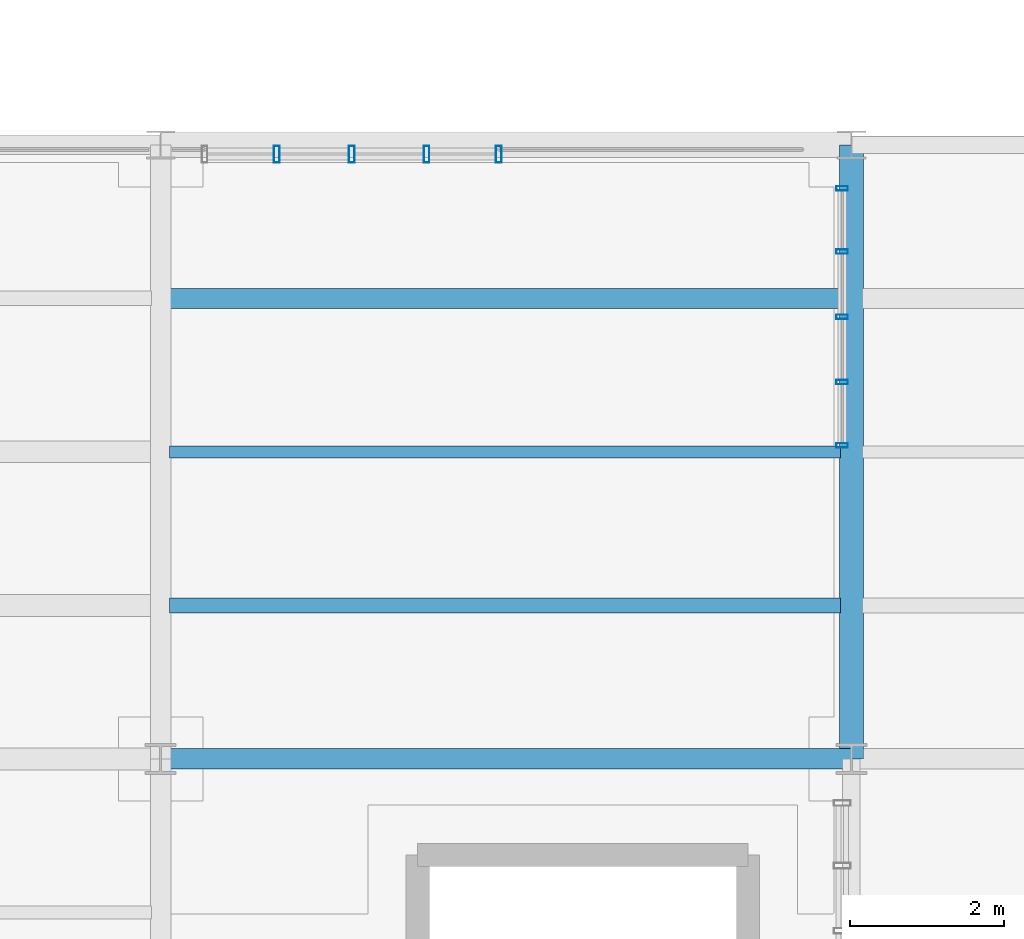
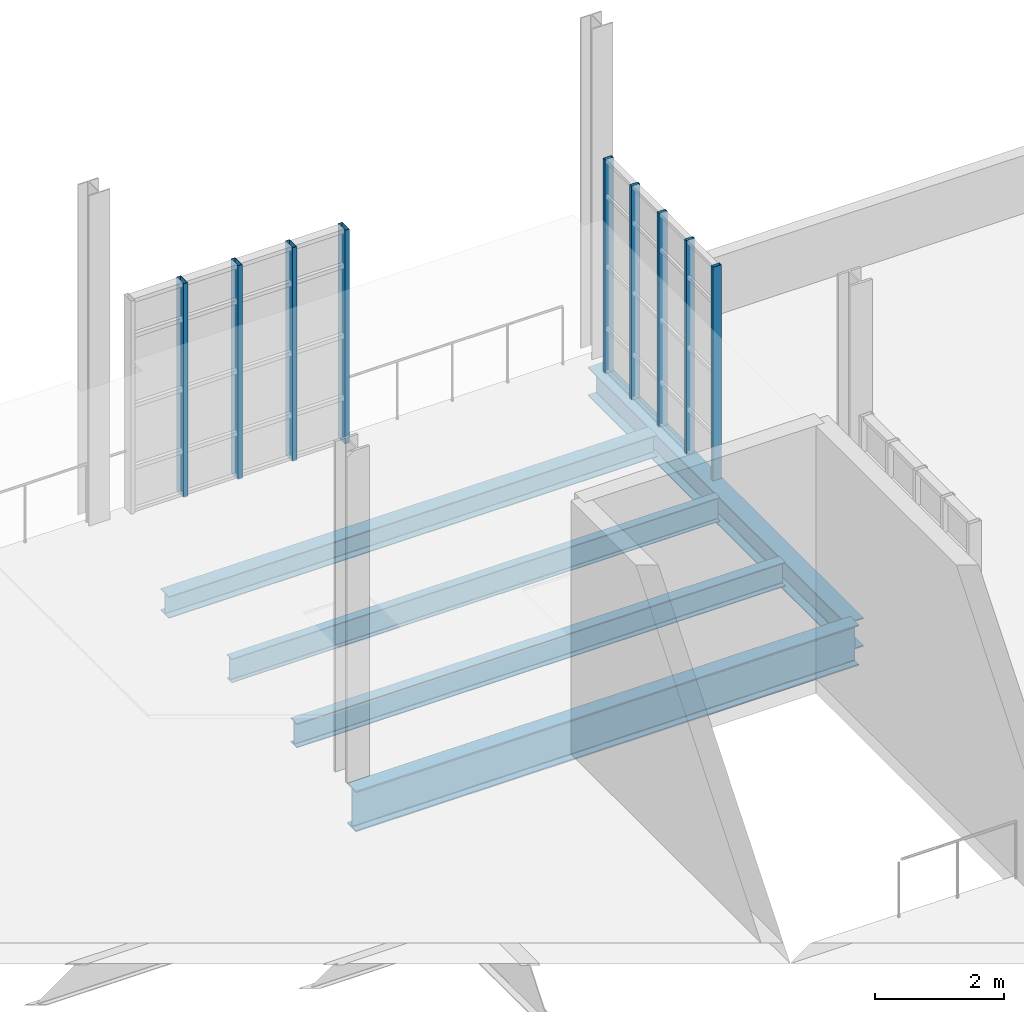
# One storey, part 56 of 118: 9 members, 5 beams, 2 elements without a shape of their own.
"""IFC4 building model written with IfcOpenShell, lengths in metres."""

import ifcopenshell
import ifcopenshell.guid

model = None  # the IFC model being written
_history = None  # IfcOwnerHistory: only IFC2X3 demands one
_inside = {}  # id of a spatial element -> (the spatial element, [elements in it])
_under = {}  # id of a project, library or spatial element -> (it, [spatial elements below it])
_declared = {}  # id of a project -> (the project, [libraries it declares])
_typed = {}  # id of a type object -> (the type object, [elements of that type])
_made_of = {}  # id of a material, layer set ... -> (it, [elements and type objects made of it])


def new_model(schema):
    """Start an empty IFC model of exactly this schema.

    Asked for "IFC4X3", IfcOpenShell would pick the latest addendum, in which some entities
    have other attributes; the version numbers below select the first issue.
    IFC2X3 requires an IfcOwnerHistory on every rooted entity: one is made here for all.
    """
    global model, _history
    if schema == "IFC4X3":
        model = ifcopenshell.file(schema_version=(4, 3, 0, 0))
    else:
        model = ifcopenshell.file(schema=schema)
    _inside.clear()
    _under.clear()
    _declared.clear()
    _typed.clear()
    _made_of.clear()
    _history = None
    if model.schema == "IFC2X3":
        org = make("IfcOrganization", Name="unknown")
        user = make(
            "IfcPersonAndOrganization",
            ThePerson=make("IfcPerson", FamilyName="unknown"),
            TheOrganization=org,
        )
        app = make(
            "IfcApplication",
            ApplicationDeveloper=org,
            Version="unknown",
            ApplicationFullName="unknown",
            ApplicationIdentifier="unknown",
        )
        _history = make(
            "IfcOwnerHistory",
            OwningUser=user,
            OwningApplication=app,
            ChangeAction="ADDED",
            CreationDate=0,
        )
    return model


def make(cls, **values):
    """One entity of the class cls with the attributes given. An attribute that is None is left unset."""
    return model.create_entity(
        cls, **{name: value for name, value in values.items() if value is not None}
    )


def rooted(cls, **values):
    """An entity with a GlobalId (a new one), such as an element, a storey or a relation."""
    return make(cls, GlobalId=ifcopenshell.guid.new(), OwnerHistory=_history, **values)


def si_unit(unit_type, name, prefix=None):
    """IfcSIUnit, for example si_unit("LENGTHUNIT", "METRE", prefix="MILLI")."""
    return make("IfcSIUnit", UnitType=unit_type, Prefix=prefix, Name=name)


def assignment(units):
    """IfcUnitAssignment: the units of a project."""
    return None if units is None else make("IfcUnitAssignment", Units=units)


def point(xyz):
    """IfcCartesianPoint."""
    return None if xyz is None else make("IfcCartesianPoint", Coordinates=xyz)


def direction(xyz):
    """IfcDirection."""
    return None if xyz is None else make("IfcDirection", DirectionRatios=xyz)


def frame(location, z_axis=None, x_axis=None):
    """IfcAxis2Placement3D, a coordinate frame: its origin and axes. An axis left out is left unset."""
    return make(
        "IfcAxis2Placement3D",
        Location=point(location),
        Axis=direction(z_axis),
        RefDirection=direction(x_axis),
    )


def frame_2d(location, x_axis=None):
    """IfcAxis2Placement2D, a coordinate frame in the plane: its origin and x axis."""
    return make(
        "IfcAxis2Placement2D", Location=point(location), RefDirection=direction(x_axis)
    )


def origin():
    """The frame at (0, 0, 0) with its axes left unset."""
    return frame((0.0, 0.0, 0.0))


def origin_2d():
    """The frame at (0, 0) in the plane with its x axis left unset."""
    return frame_2d((0.0, 0.0))


def place(relative_to, where):
    """IfcLocalPlacement: puts the frame where relative to a parent placement (None: the world)."""
    return make(
        "IfcLocalPlacement", PlacementRelTo=relative_to, RelativePlacement=where
    )


def context(
    kind, dimensions, precision=None, world=None, true_north=None, identifier=None
):
    """IfcGeometricRepresentationContext, for example the 3D "Model" context."""
    return make(
        "IfcGeometricRepresentationContext",
        ContextIdentifier=identifier,
        ContextType=kind,
        CoordinateSpaceDimension=dimensions,
        Precision=precision,
        WorldCoordinateSystem=world,
        TrueNorth=true_north,
    )


def subcontext(parent, identifier, kind, view, scale=None):
    """IfcGeometricRepresentationSubContext, for example "Body" below "Model"."""
    return make(
        "IfcGeometricRepresentationSubContext",
        ContextIdentifier=identifier,
        ContextType=kind,
        ParentContext=parent,
        TargetScale=scale,
        TargetView=view,
    )


def project(units=None, contexts=None):
    """IfcProject with its units and contexts."""
    return rooted(
        "IfcProject",
        Name="project",
        RepresentationContexts=contexts,
        UnitsInContext=assignment(units),
    )


def spatial(cls, under=None, at=None, **own):
    """A site, building, storey or space (cls), placed at a placement, below another one or the project."""
    s = rooted(cls, ObjectPlacement=at, **own)
    if under is not None:
        _under.setdefault(under.id(), (under, []))[1].append(s)
    return s


def profile(cls, at=None, kind="AREA", **sizes):
    """A parametric profile (cls). Its sizes go by their IFC names, for example OverallWidth=200.0."""
    return make(cls, ProfileType=kind, Position=at, **sizes)


def hollow_rectangle(**sizes):
    """IfcRectangleHollowProfileDef."""
    return profile("IfcRectangleHollowProfileDef", **sizes)


def i_section(**sizes):
    """IfcIShapeProfileDef."""
    return profile("IfcIShapeProfileDef", **sizes)


def extrude(swept, where, along, depth):
    """IfcExtrudedAreaSolid: the profile swept, set in the frame where, extruded along a direction by depth."""
    return make(
        "IfcExtrudedAreaSolid",
        SweptArea=swept,
        Position=where,
        ExtrudedDirection=direction(along),
        Depth=depth,
    )


def shape(context_of_items, identifier, shape_type, items):
    """IfcShapeRepresentation: the items that make up one representation, for example the "Body"."""
    return make(
        "IfcShapeRepresentation",
        ContextOfItems=context_of_items,
        RepresentationIdentifier=identifier,
        RepresentationType=shape_type,
        Items=items,
    )


def material(Name=None, Category=None):
    """IfcMaterial."""
    return make("IfcMaterial", Name=Name, Category=Category)


def layer(
    of_material, thickness, ventilated=None, Name=None, Category=None, Priority=None
):
    """IfcMaterialLayer: one layer of a wall or slab, of a material (None: an air gap)."""
    return make(
        "IfcMaterialLayer",
        Material=of_material,
        LayerThickness=thickness,
        IsVentilated=ventilated,
        Name=Name,
        Category=Category,
        Priority=Priority,
    )


def layer_set(layers, Name=None):
    """IfcMaterialLayerSet."""
    return make("IfcMaterialLayerSet", MaterialLayers=layers, LayerSetName=Name)


def material_profile(
    of_material, cross_section, Name=None, Category=None, Priority=None
):
    """IfcMaterialProfile: a cross section and its material."""
    return make(
        "IfcMaterialProfile",
        Name=Name,
        Material=of_material,
        Profile=cross_section,
        Priority=Priority,
        Category=Category,
    )


def profile_set(profiles, Name=None, composite=None):
    """IfcMaterialProfileSet."""
    return make(
        "IfcMaterialProfileSet",
        Name=Name,
        MaterialProfiles=profiles,
        CompositeProfile=composite,
    )


def made_of(thing, what):
    """Note that an element or type object is made of a material, layer set ...; save() writes the relation."""
    if what is not None:
        _made_of.setdefault(what.id(), (what, []))[1].append(thing)
    return thing


def type_object(cls, material=None, **own):
    """A type object (cls), such as IfcWallType, which elements share."""
    return made_of(rooted(cls, **own), material)


def element(
    cls,
    number,
    at=None,
    inside=None,
    cuts=None,
    type_object=None,
    material=None,
    context=None,
    identifier="Body",
    shape_type=None,
    held_by="IfcProductDefinitionShape",
    body=None,
    shapes=None,
    **own,
):
    """One element of the class cls, such as IfcWall. Its Tag is "e" and its number.

    at: its placement. inside: the storey or other place that contains it. cuts: it is an
    opening in that element (IfcRelVoidsElement). A single representation is given by context,
    identifier, shape_type and body (its items); several are given by shapes. held_by: the class
    of the entity that holds the representations. save() writes the other relations.
    """
    e = rooted(cls, Tag="e%d" % number, ObjectPlacement=at, **own)
    if body is not None:
        shapes = [shape(context, identifier, shape_type, body)]
    if shapes is not None:
        e.Representation = make(held_by, Representations=shapes)
    if inside is not None:
        _inside.setdefault(inside.id(), (inside, []))[1].append(e)
    if cuts is not None:
        rooted(
            "IfcRelVoidsElement", RelatingBuildingElement=cuts, RelatedOpeningElement=e
        )
    if type_object is not None:
        _typed.setdefault(type_object.id(), (type_object, []))[1].append(e)
    return made_of(e, material)


def aggregate(whole, parts):
    """IfcRelAggregates: a whole, such as a stair, and the parts it consists of."""
    return rooted("IfcRelAggregates", RelatingObject=whole, RelatedObjects=parts)


def save(model, path):
    """Write the relations noted so far, then the file.

    IfcRelAggregates (storeys below a building ...), IfcRelContainedInSpatialStructure (elements
    in a storey), IfcRelDefinesByType, IfcRelAssociatesMaterial and IfcRelDeclares: one each for
    every whole, place, type object, material and project.
    """
    for whole, parts in _under.values():
        aggregate(whole, parts)
    for where, things in _inside.values():
        rooted(
            "IfcRelContainedInSpatialStructure",
            RelatedElements=things,
            RelatingStructure=where,
        )
    for kind, things in _typed.values():
        rooted("IfcRelDefinesByType", RelatedObjects=things, RelatingType=kind)
    for what, things in _made_of.values():
        rooted("IfcRelAssociatesMaterial", RelatedObjects=things, RelatingMaterial=what)
    for by, libraries in _declared.values():
        rooted("IfcRelDeclares", RelatingContext=by, RelatedDefinitions=libraries)
    model.write(path)


model = new_model("IFC4")

# Units and contexts
model_context = context("Model", 3, precision=1e-05, world=origin(), true_north=direction((0.0, 1.0)))
body_context = subcontext(model_context, "Body", "Model", "MODEL_VIEW")
ifc_project = project(units=[si_unit("LENGTHUNIT", "METRE"), si_unit("AREAUNIT", "SQUARE_METRE"), si_unit("VOLUMEUNIT", "CUBIC_METRE"), si_unit("PLANEANGLEUNIT", "RADIAN"), si_unit("MASSUNIT", "GRAM", prefix="KILO"), si_unit("THERMODYNAMICTEMPERATUREUNIT", "KELVIN"), si_unit("POWERUNIT", "WATT")], contexts=[model_context])

# Site, building, storey
site_placement = place(None, origin())
site = spatial("IfcSite", under=ifc_project, at=site_placement, CompositionType="ELEMENT")
building_placement = place(site_placement, origin())
building = spatial("IfcBuilding", under=site, at=building_placement, Name="Zelmaris Science Centre", CompositionType="ELEMENT")
storey_placement = place(building_placement, frame((0.0, 0.0, 15.60009765625)))
storey = spatial("IfcBuildingStorey", under=building, at=storey_placement, Name="L03", CompositionType="ELEMENT", Elevation=15.60009765625)

# Curtain wall, members
ifc_material_1 = material(Name="Anodised architectural aluminium 6063-T6", Category="aluminium")
ifc_layer_1 = layer(ifc_material_1, 0.219970703125, Name="Anodised architectural aluminium 6063-T6")
ifc_layer_set_1 = layer_set([ifc_layer_1], Name="Anodised architectural aluminium 6063-T6")
curtain_wall_type_1 = type_object("IfcCurtainWallType", Name="Curtain Wall CW-04", PredefinedType="USERDEFINED", material=ifc_layer_set_1)
curtain_wall_1_placement = place(storey_placement, origin())
curtain_wall_1 = element("IfcCurtainWall", 1, at=curtain_wall_1_placement, inside=storey, type_object=curtain_wall_type_1, Name="L03 Unitised curtain wall 296", ObjectType="GLAZED CURTAIN WALL", PredefinedType="USERDEFINED")
ifc_material_profile_1 = material_profile(ifc_material_1, hollow_rectangle(XDim=0.06005859375, YDim=0.14990234375, WallThickness=0.00341796875, at=origin_2d()), Name="ALU-MUL-60X150")
ifc_profile_set_1 = profile_set([ifc_material_profile_1], Name="Anodised architectural aluminium 6063-T6")
member_type_1 = type_object("IfcMemberType", Name="ALU-MUL-60X150", PredefinedType="MULLION", material=ifc_profile_set_1)
member_1_placement = place(storey_placement, frame((134.8798828125, 55.433837890625, -0.01513671875), z_axis=(0.0, 0.0, 1.0), x_axis=(0.0, -1.0, 0.0)))
member_1 = element("IfcMember", 2, at=member_1_placement, type_object=member_type_1, Name="CW-04 mullion 1", PredefinedType="MULLION", context=body_context, shape_type="SweptSolid", body=[
    extrude(hollow_rectangle(XDim=0.06005859375, YDim=0.14990234375, WallThickness=0.00341796875, at=origin_2d()), origin(), (0.0, 0.0, 1.0), 4.044921875),
])
member_2_placement = place(storey_placement, frame((134.8798828125, 54.60986328125, -0.01513671875), z_axis=(0.0, 0.0, 1.0), x_axis=(0.0, -1.0, 0.0)))
member_2 = element("IfcMember", 3, at=member_2_placement, type_object=member_type_1, Name="CW-04 mullion 2", PredefinedType="MULLION", context=body_context, shape_type="SweptSolid", body=[
    extrude(hollow_rectangle(XDim=0.06005859375, YDim=0.14990234375, WallThickness=0.00341796875, at=origin_2d()), origin(), (0.0, 0.0, 1.0), 4.044921875),
])
member_3_placement = place(storey_placement, frame((134.8798828125, 53.760009765625, -0.01513671875), z_axis=(0.0, 0.0, 1.0), x_axis=(0.0, -1.0, 0.0)))
member_3 = element("IfcMember", 4, at=member_3_placement, type_object=member_type_1, Name="CW-04 mullion 3", PredefinedType="MULLION", context=body_context, shape_type="SweptSolid", body=[
    extrude(hollow_rectangle(XDim=0.06005859375, YDim=0.14990234375, WallThickness=0.00341796875, at=origin_2d()), origin(), (0.0, 0.0, 1.0), 4.044921875),
])
member_4_placement = place(storey_placement, frame((134.8798828125, 52.909912109375, -0.01513671875), z_axis=(0.0, 0.0, 1.0), x_axis=(0.0, -1.0, 0.0)))
member_4 = element("IfcMember", 5, at=member_4_placement, type_object=member_type_1, Name="CW-04 mullion 4", PredefinedType="MULLION", context=body_context, shape_type="SweptSolid", body=[
    extrude(hollow_rectangle(XDim=0.06005859375, YDim=0.14990234375, WallThickness=0.00341796875, at=origin_2d()), origin(), (0.0, 0.0, 1.0), 4.044921875),
])
member_5_placement = place(storey_placement, frame((134.8798828125, 52.0859375, -0.01513671875), z_axis=(0.0, 0.0, 1.0), x_axis=(0.0, -1.0, 0.0)))
member_5 = element("IfcMember", 6, at=member_5_placement, type_object=member_type_1, Name="CW-04 mullion 5", PredefinedType="MULLION", context=body_context, shape_type="SweptSolid", body=[
    extrude(hollow_rectangle(XDim=0.06005859375, YDim=0.14990234375, WallThickness=0.00341796875, at=origin_2d()), origin(), (0.0, 0.0, 1.0), 4.044921875),
])
aggregate(curtain_wall_1, [member_1, member_2, member_3, member_4, member_5])

ifc_layer_2 = layer(ifc_material_1, 0.199951171875, Name="Anodised architectural aluminium 6063-T6")
ifc_layer_set_2 = layer_set([ifc_layer_2], Name="Anodised architectural aluminium 6063-T6")
curtain_wall_type_2 = type_object("IfcCurtainWallType", Name="Curtain Wall CW-02", PredefinedType="USERDEFINED", material=ifc_layer_set_2)
curtain_wall_2_placement = place(storey_placement, origin())
curtain_wall_2 = element("IfcCurtainWall", 7, at=curtain_wall_2_placement, inside=storey, type_object=curtain_wall_type_2, Name="L03 Unitised curtain wall 294", ObjectType="GLAZED CURTAIN WALL", PredefinedType="USERDEFINED")
ifc_material_profile_2 = material_profile(ifc_material_1, hollow_rectangle(XDim=0.074951171875, YDim=0.219970703125, WallThickness=0.0048828125, at=origin_2d()), Name="ALU-MUL-75X220")
ifc_profile_set_2 = profile_set([ifc_material_profile_2], Name="Anodised architectural aluminium 6063-T6")
member_type_2 = type_object("IfcMemberType", Name="ALU-MUL-75X220", PredefinedType="MULLION", material=ifc_profile_set_2)
member_6_placement = place(storey_placement, frame((127.514892578125, 55.8798828125, -0.01513671875), z_axis=(0.0, 0.0, 1.0), x_axis=(0.999999999994, -3.490659e-06, 0.0)))
member_6 = element("IfcMember", 8, at=member_6_placement, type_object=member_type_2, Name="CW-02 mullion 2", PredefinedType="MULLION", context=body_context, shape_type="SweptSolid", body=[
    extrude(hollow_rectangle(XDim=0.074951171875, YDim=0.219970703125, WallThickness=0.0048828125, at=origin_2d()), origin(), (0.0, 0.0, 1.0), 4.044921875),
])
member_7_placement = place(storey_placement, frame((128.489990234375, 55.8798828125, -0.01513671875), z_axis=(0.0, 0.0, 1.0), x_axis=(0.999999999994, -3.490659e-06, 0.0)))
member_7 = element("IfcMember", 9, at=member_7_placement, type_object=member_type_2, Name="CW-02 mullion 3", PredefinedType="MULLION", context=body_context, shape_type="SweptSolid", body=[
    extrude(hollow_rectangle(XDim=0.074951171875, YDim=0.219970703125, WallThickness=0.0048828125, at=origin_2d()), origin(), (0.0, 0.0, 1.0), 4.044921875),
])
member_8_placement = place(storey_placement, frame((129.465087890625, 55.8798828125, -0.01513671875), z_axis=(0.0, 0.0, 1.0), x_axis=(0.999999999994, -3.490659e-06, 0.0)))
member_8 = element("IfcMember", 10, at=member_8_placement, type_object=member_type_2, Name="CW-02 mullion 4", PredefinedType="MULLION", context=body_context, shape_type="SweptSolid", body=[
    extrude(hollow_rectangle(XDim=0.074951171875, YDim=0.219970703125, WallThickness=0.0048828125, at=origin_2d()), origin(), (0.0, 0.0, 1.0), 4.044921875),
])
member_9_placement = place(storey_placement, frame((130.406494140625, 55.8798828125, -0.01513671875), z_axis=(0.0, 0.0, 1.0), x_axis=(0.999999999994, -3.490659e-06, 0.0)))
member_9 = element("IfcMember", 11, at=member_9_placement, type_object=member_type_2, Name="CW-02 mullion 5", PredefinedType="MULLION", context=body_context, shape_type="SweptSolid", body=[
    extrude(hollow_rectangle(XDim=0.074951171875, YDim=0.219970703125, WallThickness=0.0048828125, at=origin_2d()), origin(), (0.0, 0.0, 1.0), 4.044921875),
])
aggregate(curtain_wall_2, [member_6, member_7, member_8, member_9])

# Beams
ifc_material_2 = material(Name="Steel ASTM A992 Grade 50", Category="steel")
ifc_material_profile_3 = material_profile(ifc_material_2, i_section(OverallWidth=0.26708984375, OverallDepth=0.77001953125, WebThickness=0.015625, FlangeThickness=0.025390625, FilletRadius=0.01904296875, at=origin_2d()), Name="W30X132")
ifc_profile_set_3 = profile_set([ifc_material_profile_3], Name="Steel ASTM A992 Grade 50")
beam_type_1 = type_object("IfcBeamType", Name="Beam G-09 W30X132", PredefinedType="BEAM", material=ifc_profile_set_3)
beam_1_placement = place(storey_placement, frame((126.0, 48.0, -0.64501953125), z_axis=(1.0, 0.0, 0.0), x_axis=(0.0, 1.0, 0.0)))
element("IfcBeam", 12, at=beam_1_placement, inside=storey, type_object=beam_type_1, Name="L03 East-west girder 748", PredefinedType="BEAM", context=body_context, shape_type="SweptSolid", body=[
    extrude(i_section(OverallWidth=0.26708984375, OverallDepth=0.77001953125, WebThickness=0.015625, FlangeThickness=0.025390625, FilletRadius=0.01904296875, at=origin_2d()), origin(), (0.0, 0.0, 1.0), 9.0),
])
ifc_material_profile_4 = material_profile(ifc_material_2, i_section(OverallWidth=0.31201171875, OverallDepth=0.5439453125, WebThickness=0.0126953125, FlangeThickness=0.020263671875, FilletRadius=0.013916015625, at=origin_2d()), Name="W21X101")
ifc_profile_set_4 = profile_set([ifc_material_profile_4], Name="Steel ASTM A992 Grade 50")
beam_type_2 = type_object("IfcBeamType", Name="Beam G-18 W21X101", PredefinedType="BEAM", material=ifc_profile_set_4)
beam_2_placement = place(storey_placement, frame((135.0, 48.0, -0.531982421875), z_axis=(0.0, 1.0, 0.0), x_axis=(-1.0, 0.0, 0.0)))
element("IfcBeam", 13, at=beam_2_placement, inside=storey, type_object=beam_type_2, Name="L03 North-south girder 724", PredefinedType="BEAM", context=body_context, shape_type="SweptSolid", body=[
    extrude(i_section(OverallWidth=0.31201171875, OverallDepth=0.5439453125, WebThickness=0.0126953125, FlangeThickness=0.020263671875, FilletRadius=0.013916015625, at=origin_2d()), origin(), (0.0, 0.0, 1.0), 8.0),
])
ifc_material_profile_5 = material_profile(ifc_material_2, i_section(OverallWidth=0.19091796875, OverallDepth=0.4599609375, WebThickness=0.010009765625, FlangeThickness=0.01611328125, FilletRadius=0.012939453125, at=origin_2d()), Name="W18X55")
ifc_profile_set_5 = profile_set([ifc_material_profile_5], Name="Steel ASTM A992 Grade 50")
beam_type_3 = type_object("IfcBeamType", Name="Beam J-04 W18X55", PredefinedType="JOIST", material=ifc_profile_set_5)
beam_3_placement = place(storey_placement, frame((126.118408203125, 50.0, -0.489990234375), z_axis=(1.0, 0.0, 0.0), x_axis=(0.0, 1.0, 0.0)))
element("IfcBeam", 14, at=beam_3_placement, inside=storey, type_object=beam_type_3, Name="L03 Composite floor joist 372", PredefinedType="JOIST", context=body_context, shape_type="SweptSolid", body=[
    extrude(i_section(OverallWidth=0.19091796875, OverallDepth=0.4599609375, WebThickness=0.010009765625, FlangeThickness=0.01611328125, FilletRadius=0.012939453125, at=origin_2d()), origin(), (0.0, 0.0, 1.0), 8.740478515625),
])
ifc_material_profile_6 = material_profile(ifc_material_2, i_section(OverallWidth=0.152099609375, OverallDepth=0.455078125, WebThickness=0.008056640625, FlangeThickness=0.01318359375, FilletRadius=0.012939453125, at=origin_2d()), Name="W18X40")
ifc_profile_set_6 = profile_set([ifc_material_profile_6], Name="Steel ASTM A992 Grade 50")
beam_type_4 = type_object("IfcBeamType", Name="Beam J-05 W18X40", PredefinedType="JOIST", material=ifc_profile_set_6)
beam_4_placement = place(storey_placement, frame((126.118408203125, 52.0, -0.487548828125), z_axis=(1.0, 0.0, 0.0), x_axis=(0.0, 1.0, 0.0)))
element("IfcBeam", 15, at=beam_4_placement, inside=storey, type_object=beam_type_4, Name="L03 Composite floor joist 373", PredefinedType="JOIST", context=body_context, shape_type="SweptSolid", body=[
    extrude(i_section(OverallWidth=0.152099609375, OverallDepth=0.455078125, WebThickness=0.008056640625, FlangeThickness=0.01318359375, FilletRadius=0.012939453125, at=origin_2d()), origin(), (0.0, 0.0, 1.0), 8.740478515625),
])
ifc_material_profile_7 = material_profile(ifc_material_2, i_section(OverallWidth=0.260009765625, OverallDepth=0.4140625, WebThickness=0.010009765625, FlangeThickness=0.016845703125, FilletRadius=0.011962890625, at=origin_2d()), Name="W16X67")
ifc_profile_set_7 = profile_set([ifc_material_profile_7], Name="Steel ASTM A992 Grade 50")
beam_type_5 = type_object("IfcBeamType", Name="Beam J-06 W16X67", PredefinedType="JOIST", material=ifc_profile_set_7)
beam_5_placement = place(storey_placement, frame((126.118408203125, 54.0, -0.467041015625), z_axis=(1.0, 0.0, 0.0), x_axis=(0.0, 1.0, 0.0)))
element("IfcBeam", 16, at=beam_5_placement, inside=storey, type_object=beam_type_5, Name="L03 Composite floor joist 374", PredefinedType="JOIST", context=body_context, shape_type="SweptSolid", body=[
    extrude(i_section(OverallWidth=0.260009765625, OverallDepth=0.4140625, WebThickness=0.010009765625, FlangeThickness=0.016845703125, FilletRadius=0.011962890625, at=origin_2d()), origin(), (0.0, 0.0, 1.0), 8.740478515625),
])

save(model, "model.ifc")
